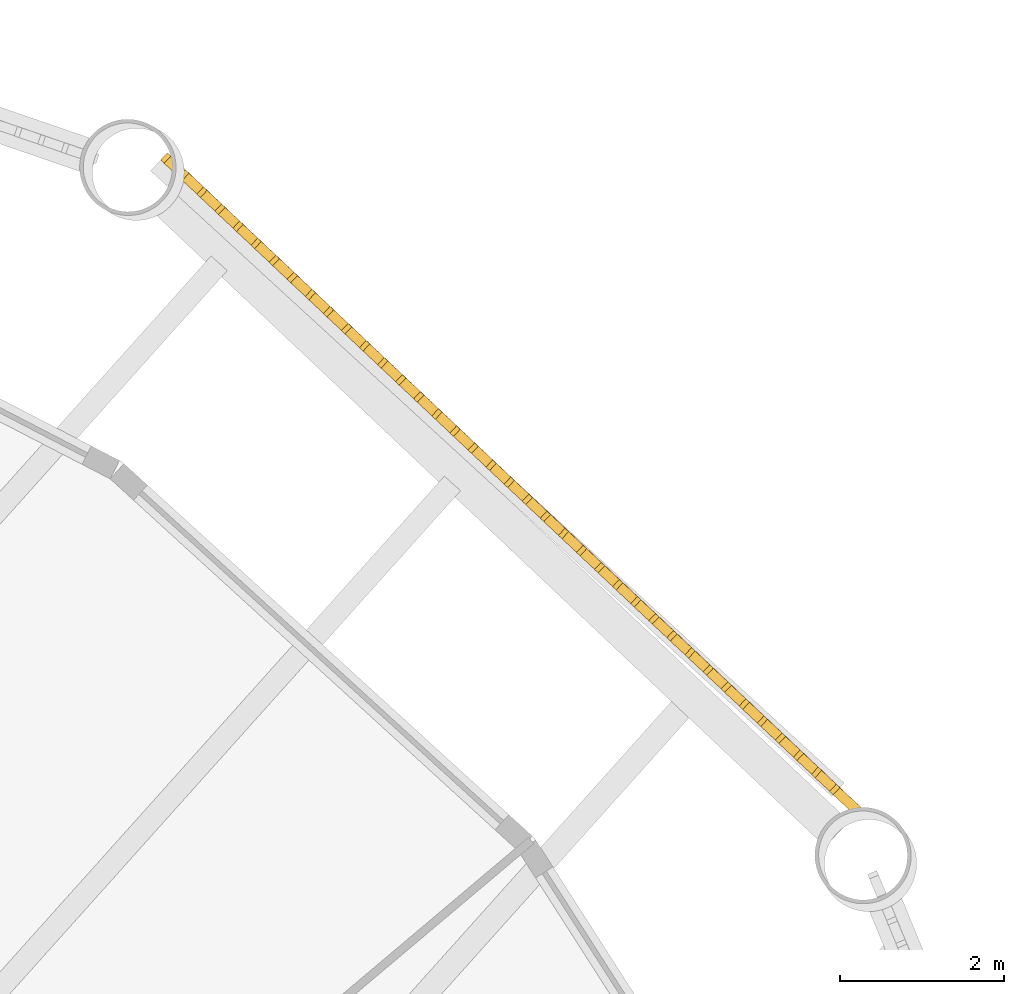
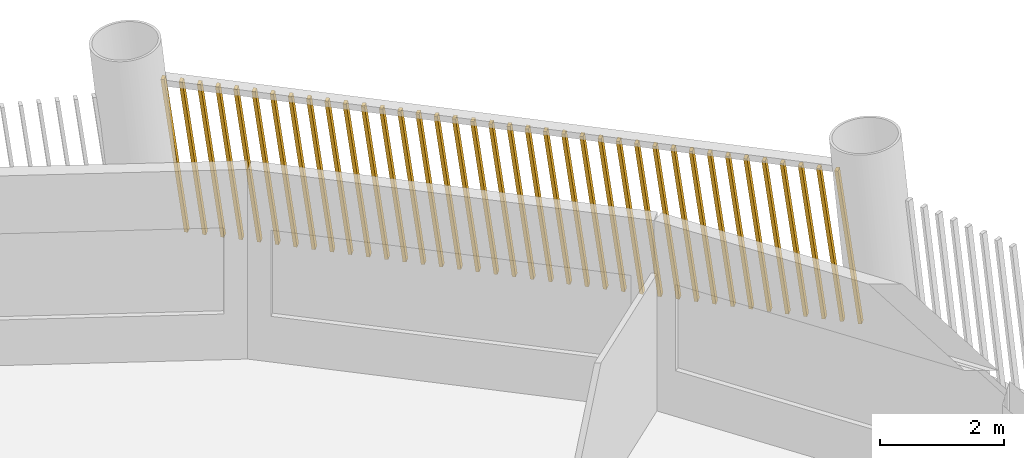
# One storey, part 15 of 16: 1 shading device.
"""IFC4 building model written with IfcOpenShell, lengths in metres."""

from ifc_helpers import new_model, si_unit, direction, frame, frame_2d, origin, place, context, subcontext, project, spatial, rectangle, composite_profile, extrude, material, type_object, element, save


model = new_model("IFC4")

# Units and contexts
model_context = context("Model", 3, precision=1e-05, world=origin(), true_north=direction((0.0, 1.0)))
body_context = subcontext(model_context, "Body", "Model", "MODEL_VIEW")
ifc_project = project(units=[si_unit("LENGTHUNIT", "METRE"), si_unit("AREAUNIT", "SQUARE_METRE"), si_unit("VOLUMEUNIT", "CUBIC_METRE"), si_unit("PLANEANGLEUNIT", "RADIAN"), si_unit("MASSUNIT", "GRAM", prefix="KILO")], contexts=[model_context])

# Site, building, storey
site_placement = place(None, origin())
site = spatial("IfcSite", under=ifc_project, at=site_placement, CompositionType="ELEMENT")
building_placement = place(site_placement, origin())
building = spatial("IfcBuilding", under=site, at=building_placement, Name="Tarsis Ring Headquarters", CompositionType="ELEMENT")
storey_placement = place(building_placement, frame((0.0, 0.0, 96.699951171875)))
storey = spatial("IfcBuildingStorey", under=building, at=storey_placement, Name="L21", CompositionType="ELEMENT", Elevation=96.699951171875)

# Shading device
ifc_material = material(Name="Terracotta baguette", Category="masonry")
shading_device_type = type_object("IfcShadingDeviceType", Name="Terracotta baguette screen", PredefinedType="USERDEFINED", material=ifc_material)
shading_device_placement = place(storey_placement, frame((23.83837890625, 17.061767578125, 0.0), z_axis=(0.0, 0.0, 1.0), x_axis=(-0.727205642973, 0.686424308193, 0.0)))
element("IfcShadingDevice", 1, at=shading_device_placement, inside=storey, type_object=shading_device_type, Name="Baguette screen L21-12", ObjectType="Terracotta baguette screen", PredefinedType="USERDEFINED", context=body_context, shape_type="SweptSolid", body=[
    extrude(composite_profile([rectangle(XDim=0.06005859375, YDim=0.1201171875, at=frame_2d((0.030029296875, 0.0))), rectangle(XDim=0.06005859375, YDim=0.1201171875, at=frame_2d((0.33251953125, 0.0))), rectangle(XDim=0.06005859375, YDim=0.1201171875, at=frame_2d((0.634765625, 0.0))), rectangle(XDim=0.06005859375, YDim=0.1201171875, at=frame_2d((0.937255859375, 0.0))), rectangle(XDim=0.06005859375, YDim=0.1201171875, at=frame_2d((1.239501953125, 0.0))), rectangle(XDim=0.06005859375, YDim=0.1201171875, at=frame_2d((1.5419921875, 0.0))), rectangle(XDim=0.06005859375, YDim=0.1201171875, at=frame_2d((1.844482421875, 0.0))), rectangle(XDim=0.06005859375, YDim=0.1201171875, at=frame_2d((2.146728515625, 0.0))), rectangle(XDim=0.06005859375, YDim=0.1201171875, at=frame_2d((2.44921875, 0.0))), rectangle(XDim=0.06005859375, YDim=0.1201171875, at=frame_2d((2.751708984375, 0.0))), rectangle(XDim=0.06005859375, YDim=0.1201171875, at=frame_2d((3.053955078125, 0.0))), rectangle(XDim=0.06005859375, YDim=0.1201171875, at=frame_2d((3.3564453125, 0.0))), rectangle(XDim=0.06005859375, YDim=0.1201171875, at=frame_2d((3.65869140625, 0.0))), rectangle(XDim=0.06005859375, YDim=0.1201171875, at=frame_2d((3.961181640625, 0.0))), rectangle(XDim=0.06005859375, YDim=0.1201171875, at=frame_2d((4.263671875, 0.0))), rectangle(XDim=0.06005859375, YDim=0.1201171875, at=frame_2d((4.56591796875, 0.0))), rectangle(XDim=0.06005859375, YDim=0.1201171875, at=frame_2d((4.868408203125, 0.0))), rectangle(XDim=0.06005859375, YDim=0.1201171875, at=frame_2d((5.1708984375, 0.0))), rectangle(XDim=0.06005859375, YDim=0.1201171875, at=frame_2d((5.47314453125, 0.0))), rectangle(XDim=0.06005859375, YDim=0.1201171875, at=frame_2d((5.775634765625, 0.0))), rectangle(XDim=0.06005859375, YDim=0.1201171875, at=frame_2d((6.077880859375, 0.0))), rectangle(XDim=0.06005859375, YDim=0.1201171875, at=frame_2d((6.38037109375, 0.0))), rectangle(XDim=0.06005859375, YDim=0.1201171875, at=frame_2d((6.682861328125, 0.0))), rectangle(XDim=0.06005859375, YDim=0.1201171875, at=frame_2d((6.985107421875, 0.0))), rectangle(XDim=0.06005859375, YDim=0.1201171875, at=frame_2d((7.28759765625, 0.0))), rectangle(XDim=0.06005859375, YDim=0.1201171875, at=frame_2d((7.590087890625, 0.0))), rectangle(XDim=0.06005859375, YDim=0.1201171875, at=frame_2d((7.892333984375, 0.0))), rectangle(XDim=0.06005859375, YDim=0.1201171875, at=frame_2d((8.19482421875, 0.0))), rectangle(XDim=0.06005859375, YDim=0.1201171875, at=frame_2d((8.4970703125, 0.0))), rectangle(XDim=0.06005859375, YDim=0.1201171875, at=frame_2d((8.799560546875, 0.0))), rectangle(XDim=0.06005859375, YDim=0.1201171875, at=frame_2d((9.10205078125, 0.0))), rectangle(XDim=0.06005859375, YDim=0.1201171875, at=frame_2d((9.404296875, 0.0))), rectangle(XDim=0.06005859375, YDim=0.1201171875, at=frame_2d((9.706787109375, 0.0))), rectangle(XDim=0.06005859375, YDim=0.1201171875, at=frame_2d((10.00927734375, 0.0))), rectangle(XDim=0.06005859375, YDim=0.1201171875, at=frame_2d((10.3115234375, 0.0))), rectangle(XDim=0.06005859375, YDim=0.1201171875, at=frame_2d((10.614013671875, 0.0))), rectangle(XDim=0.06005859375, YDim=0.1201171875, at=frame_2d((10.916259765625, 0.0))), rectangle(XDim=0.06005859375, YDim=0.1201171875, at=frame_2d((11.21875, 0.0)))]), origin(), (0.131495043026, 0.000897942845, 0.991316421411), 2.978515625),
])

save(model, "model.ifc")
